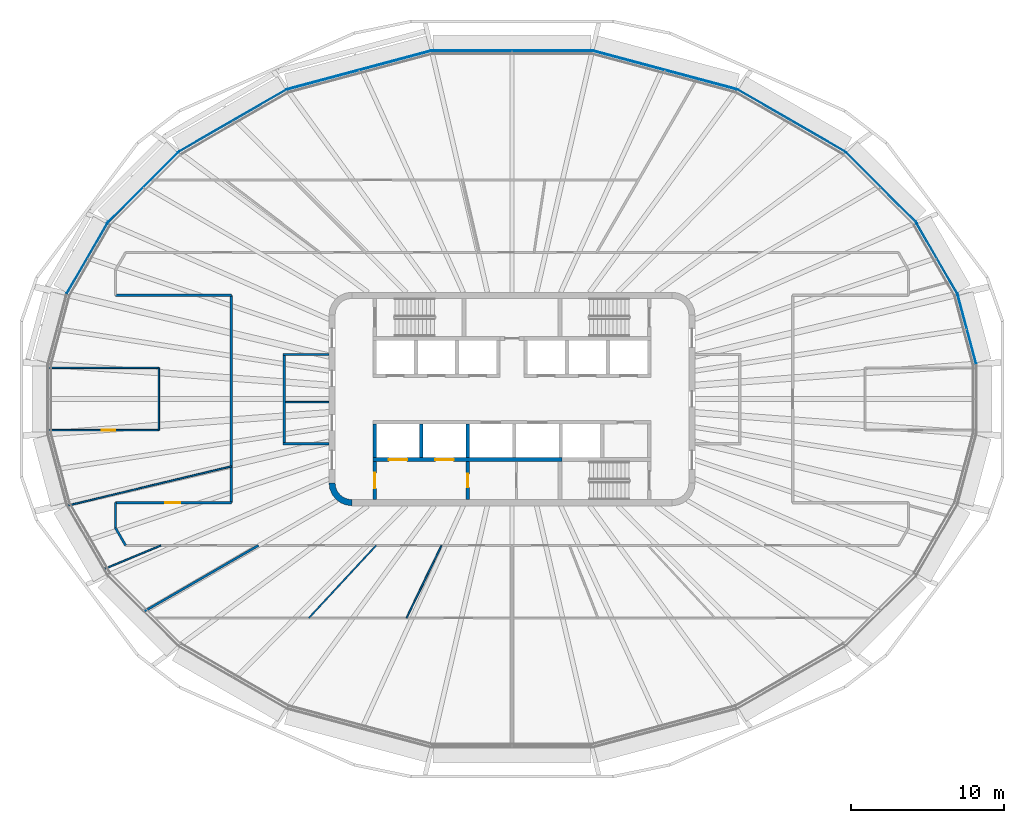
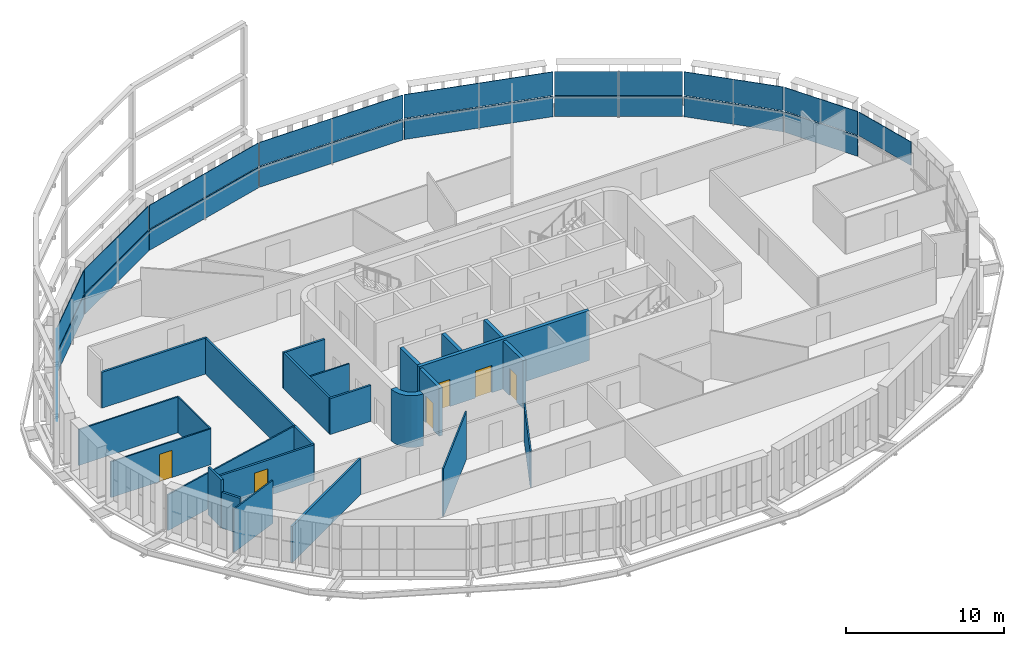
# One storey, part 9 of 20: 24 walls, 19 plates, 6 doors, 6 openings, 10 elements without a shape of their own.
"""IFC4 building model written with IfcOpenShell, lengths in metres."""

from ifc_helpers import new_model, si_unit, direction, frame, frame_2d, origin, place, context, subcontext, project, spatial, polyline, rectangle, outline, extrude, material, layer, layer_set, type_object, element, fill, aggregate, save


model = new_model("IFC4")

# Units and contexts
model_context = context("Model", 3, precision=1e-05, world=origin(), true_north=direction((0.0, 1.0)))
body_context = subcontext(model_context, "Body", "Model", "MODEL_VIEW")
ifc_project = project(units=[si_unit("LENGTHUNIT", "METRE"), si_unit("AREAUNIT", "SQUARE_METRE"), si_unit("VOLUMEUNIT", "CUBIC_METRE"), si_unit("PLANEANGLEUNIT", "RADIAN"), si_unit("MASSUNIT", "GRAM", prefix="KILO")], contexts=[model_context])

# Site, building, storey
site_placement = place(None, origin())
site = spatial("IfcSite", under=ifc_project, at=site_placement, CompositionType="ELEMENT")
building_placement = place(site_placement, origin())
building = spatial("IfcBuilding", under=site, at=building_placement, Name="Sahrelin Media Tower", CompositionType="ELEMENT")
storey_placement = place(building_placement, frame((0.0, 0.0, 237.60009765625)))
storey = spatial("IfcBuildingStorey", under=building, at=storey_placement, Name="L51", CompositionType="ELEMENT", Elevation=237.60009765625)

# Curtain wall, plate
ifc_material_1 = material(Name="Champagne anodised aluminium 6063-T6", Category="aluminium")
ifc_layer_1 = layer(ifc_material_1, 0.14990234375)
ifc_layer_set_1 = layer_set([ifc_layer_1], Name="Tower ribbon curtain wall")
curtain_wall_type = type_object("IfcCurtainWallType", Name="Tower ribbon curtain wall", PredefinedType="NOTDEFINED", material=ifc_layer_set_1)
curtain_wall_1_placement = place(storey_placement, frame((29.834228515625, 4.572265625, 0.0), z_axis=(0.0, 0.0, 1.0), x_axis=(1.0, 0.0, 0.0)))
curtain_wall_1 = element("IfcCurtainWall", 1, at=curtain_wall_1_placement, inside=storey, type_object=curtain_wall_type, Name="L51:CW:L51-01", PredefinedType="NOTDEFINED")
ifc_material_2 = material(Name="Clear low-iron glazing", Category="glass")
ifc_layer_2 = layer(ifc_material_2, 0.0439453125)
ifc_layer_set_2 = layer_set([ifc_layer_2], Name="Glazing panel 44 mm CW1B")
plate_type_1 = type_object("IfcPlateType", Name="Glazing panel 44 mm CW1B", PredefinedType="CURTAIN_PANEL", material=ifc_layer_set_2)
plate_1_placement = place(storey_placement, frame((30.456298828125, 2.327880859375, 1.6298828125), z_axis=(0.965935885882, 0.258781499273, 0.0), x_axis=(-0.258781499273, 0.965935885882, 0.0)))
plate_1 = element("IfcPlate", 2, at=plate_1_placement, type_object=plate_type_1, Name="L51:CWP2:L51-01", PredefinedType="CURTAIN_PANEL", context=body_context, shape_type="SweptSolid", body=[
    extrude(outline(polyline([(0.0, 0.0), (4.65771484375, 0.0), (4.65771484375, 1.818603515625), (0.0, 1.818603515625), (0.0, 0.0)])), origin(), (0.0, 0.0, -1.0), 0.0439453125),
])
aggregate(curtain_wall_1, [plate_1])

curtain_wall_2_placement = place(storey_placement, frame((27.865234375, 9.214111328125, 0.0), z_axis=(0.0, 0.0, 1.0), x_axis=(1.0, 0.0, 0.0)))
curtain_wall_2 = element("IfcCurtainWall", 3, at=curtain_wall_2_placement, inside=storey, type_object=curtain_wall_type, Name="L51:CW:L51-02", PredefinedType="NOTDEFINED")
plate_2_placement = place(storey_placement, frame((29.2109375, 6.923095703125, 1.6298828125), z_axis=(0.866034858292, 0.499983623955, 0.0), x_axis=(-0.499983623955, 0.866034858292, 0.0)))
plate_2 = element("IfcPlate", 4, at=plate_2_placement, type_object=plate_type_1, Name="L51:CWP2:L51-02", PredefinedType="CURTAIN_PANEL", context=body_context, shape_type="SweptSolid", body=[
    extrude(outline(polyline([(0.0, 0.0), (5.313720703125, 0.0), (5.313720703125, 1.818603515625), (0.0, 1.818603515625), (0.0, 0.0)])), origin(), (0.0, 0.0, -1.0), 0.0439453125),
])

curtain_wall_3_placement = place(storey_placement, frame((24.1865234375, 13.88330078125, 0.0), z_axis=(0.0, 0.0, 1.0), x_axis=(1.0, 0.0, 0.0)))
curtain_wall_3 = element("IfcCurtainWall", 5, at=curtain_wall_3_placement, inside=storey, type_object=curtain_wall_type, Name="L51:CW:L51-03", PredefinedType="NOTDEFINED")
plate_3_placement = place(storey_placement, frame((26.49072265625, 11.607666015625, 1.6298828125), z_axis=(0.707087934304, 0.707125627567, 0.0), x_axis=(-0.707125627567, 0.707087934304, 0.0)))
plate_3 = element("IfcPlate", 6, at=plate_3_placement, type_object=plate_type_1, Name="L51:CWP2:L51-03", PredefinedType="CURTAIN_PANEL", context=body_context, shape_type="SweptSolid", body=[
    extrude(outline(polyline([(0.0, 0.0), (6.47705078125, 0.0), (6.47705078125, 1.818603515625), (0.0, 1.818603515625), (0.0, 0.0)])), origin(), (0.0, 0.0, -1.0), 0.0439453125),
])

curtain_wall_4_placement = place(storey_placement, frame((18.3115234375, 18.25830078125, 0.0), z_axis=(0.0, 0.0, 1.0), x_axis=(1.0, 0.0, 0.0)))
curtain_wall_4 = element("IfcCurtainWall", 7, at=curtain_wall_4_placement, inside=storey, type_object=curtain_wall_type, Name="L51:CW:L51-04", PredefinedType="NOTDEFINED")
plate_4_placement = place(storey_placement, frame((21.827880859375, 16.251220703125, 1.6298828125), z_axis=(0.499981703231, 0.866035967171, 0.0), x_axis=(-0.866035967171, 0.499981703231, 0.0)))
plate_4 = element("IfcPlate", 8, at=plate_4_placement, type_object=plate_type_1, Name="L51:CWP2:L51-04", PredefinedType="CURTAIN_PANEL", context=body_context, shape_type="SweptSolid", body=[
    extrude(outline(polyline([(0.0, 0.0), (8.097412109375, 0.0), (8.097412109375, 1.818603515625), (0.0, 1.818603515625), (0.0, 0.0)])), origin(), (0.0, 0.0, -1.0), 0.0439453125),
])

curtain_wall_5_placement = place(storey_placement, frame((10.017578125, 21.578857421875, 0.0), z_axis=(0.0, 0.0, 1.0), x_axis=(1.0, 0.0, 0.0)))
curtain_wall_5 = element("IfcCurtainWall", 9, at=curtain_wall_5_placement, inside=storey, type_object=curtain_wall_type, Name="L51:CW:L51-05", PredefinedType="NOTDEFINED")
plate_5_placement = place(storey_placement, frame((14.718994140625, 20.33984375, 1.6298828125), z_axis=(0.25881891783, 0.965925860392, 0.0), x_axis=(-0.965925860392, 0.25881891783, 0.0)))
plate_5 = element("IfcPlate", 10, at=plate_5_placement, type_object=plate_type_1, Name="L51:CWP2:L51-05", PredefinedType="CURTAIN_PANEL", context=body_context, shape_type="SweptSolid", body=[
    extrude(outline(polyline([(0.0, 0.0), (9.723388671875, 0.0), (9.723388671875, 1.818603515625), (0.0, 1.818603515625), (0.0, 0.0)])), origin(), (0.0, 0.0, -1.0), 0.0439453125),
])

curtain_wall_6_placement = place(storey_placement, frame((0.0, 22.85009765625, 0.0), z_axis=(0.0, 0.0, 1.0), x_axis=(1.0, 0.0, 0.0)))
curtain_wall_6 = element("IfcCurtainWall", 11, at=curtain_wall_6_placement, inside=storey, type_object=curtain_wall_type, Name="L51:CW:L51-06", PredefinedType="NOTDEFINED")
plate_6_placement = place(storey_placement, frame((5.223388671875, 22.8701171875, 1.6298828125), z_axis=(0.0, 1.0, 0.0), x_axis=(-1.0, 0.0, 0.0)))
plate_6 = element("IfcPlate", 12, at=plate_6_placement, type_object=plate_type_1, Name="L51:CWP2:L51-06", PredefinedType="CURTAIN_PANEL", context=body_context, shape_type="SweptSolid", body=[
    extrude(outline(polyline([(0.0, 0.0), (10.44677734375, 0.0), (10.44677734375, 1.818603515625), (0.0, 1.818603515625), (0.0, 0.0)])), origin(), (0.0, 0.0, -1.0), 0.0439453125),
])

curtain_wall_7_placement = place(storey_placement, frame((-10.017578125, 21.57861328125, 0.0), z_axis=(0.0, 0.0, 1.0), x_axis=(1.0, 0.0, 0.0)))
curtain_wall_7 = element("IfcCurtainWall", 13, at=curtain_wall_7_placement, inside=storey, type_object=curtain_wall_type, Name="L51:CW:L51-07", PredefinedType="NOTDEFINED")
plate_7_placement = place(storey_placement, frame((-5.326904296875, 22.8564453125, 1.6298828125), z_axis=(-0.25881891783, 0.965925860392, 0.0), x_axis=(-0.965925860392, -0.25881891783, 0.0)))
plate_7 = element("IfcPlate", 14, at=plate_7_placement, type_object=plate_type_1, Name="L51:CWP2:L51-07", PredefinedType="CURTAIN_PANEL", context=body_context, shape_type="SweptSolid", body=[
    extrude(outline(polyline([(0.0, 0.0), (9.723388671875, 0.0), (9.723388671875, 1.818603515625), (0.0, 1.818603515625), (0.0, 0.0)])), origin(), (0.0, 0.0, -1.0), 0.0439453125),
])

curtain_wall_8_placement = place(storey_placement, frame((-18.3115234375, 18.258056640625, 0.0), z_axis=(0.0, 0.0, 1.0), x_axis=(1.0, 0.0, 0.0)))
curtain_wall_8 = element("IfcCurtainWall", 15, at=curtain_wall_8_placement, inside=storey, type_object=curtain_wall_type, Name="L51:CW:L51-08", PredefinedType="NOTDEFINED")
plate_8_placement = place(storey_placement, frame((-14.815185546875, 20.2998046875, 1.6298828125), z_axis=(-0.499981703231, 0.866035967171, 0.0), x_axis=(-0.866035967171, -0.499981703231, 0.0)))
plate_8 = element("IfcPlate", 16, at=plate_8_placement, type_object=plate_type_1, Name="L51:CWP2:L51-08", PredefinedType="CURTAIN_PANEL", context=body_context, shape_type="SweptSolid", body=[
    extrude(outline(polyline([(0.0, 0.0), (8.097412109375, 0.0), (8.097412109375, 1.818603515625), (0.0, 1.818603515625), (0.0, 0.0)])), origin(), (0.0, 0.0, -1.0), 0.0439453125),
])

curtain_wall_9_placement = place(storey_placement, frame((-24.1865234375, 13.883544921875, 0.0), z_axis=(0.0, 0.0, 1.0), x_axis=(1.0, 0.0, 0.0)))
curtain_wall_9 = element("IfcCurtainWall", 17, at=curtain_wall_9_placement, inside=storey, type_object=curtain_wall_type, Name="L51:CW:L51-09", PredefinedType="NOTDEFINED")
plate_9_placement = place(storey_placement, frame((-21.91064453125, 16.1875, 1.6298828125), z_axis=(-0.707087934304, 0.707125627567, 0.0), x_axis=(-0.707125627567, -0.707087934304, 0.0)))
plate_9 = element("IfcPlate", 18, at=plate_9_placement, type_object=plate_type_1, Name="L51:CWP2:L51-09", PredefinedType="CURTAIN_PANEL", context=body_context, shape_type="SweptSolid", body=[
    extrude(outline(polyline([(0.0, 0.0), (6.47705078125, 0.0), (6.47705078125, 1.818603515625), (0.0, 1.818603515625), (0.0, 0.0)])), origin(), (0.0, 0.0, -1.0), 0.0439453125),
])

curtain_wall_10_placement = place(storey_placement, frame((-27.865234375, 9.214111328125, 0.0), z_axis=(0.0, 0.0, 1.0), x_axis=(1.0, 0.0, 0.0)))
curtain_wall_10 = element("IfcCurtainWall", 19, at=curtain_wall_10_placement, inside=storey, type_object=curtain_wall_type, Name="L51:CW:L51-10", PredefinedType="NOTDEFINED")
plate_10_placement = place(storey_placement, frame((-26.55419921875, 11.52490234375, 1.6298828125), z_axis=(-0.866034858292, 0.499983623955, 0.0), x_axis=(-0.499983623955, -0.866034858292, 0.0)))
plate_10 = element("IfcPlate", 20, at=plate_10_placement, type_object=plate_type_1, Name="L51:CWP2:L51-10", PredefinedType="CURTAIN_PANEL", context=body_context, shape_type="SweptSolid", body=[
    extrude(outline(polyline([(0.0, 0.0), (5.313720703125, 0.0), (5.313720703125, 1.818603515625), (0.0, 1.818603515625), (0.0, 0.0)])), origin(), (0.0, 0.0, -1.0), 0.0439453125),
])

# Plate
ifc_material_3 = material(Name="Insulated spandrel panel")
ifc_layer_3 = layer(ifc_material_3, 0.06005859375)
ifc_layer_set_3 = layer_set([ifc_layer_3], Name="Spandrel panel 60 mm CW1")
plate_type_2 = type_object("IfcPlateType", Name="Spandrel panel 60 mm CW1", PredefinedType="SHEET", material=ifc_layer_set_3)
plate_11_placement = place(storey_placement, frame((29.2109375, 6.923095703125, 0.0), z_axis=(0.866034858292, 0.499983623955, 0.0), x_axis=(-0.499983623955, 0.866034858292, 0.0)))
plate_11 = element("IfcPlate", 21, at=plate_11_placement, type_object=plate_type_2, Name="L51:CWP1:L51-02", PredefinedType="SHEET", context=body_context, shape_type="SweptSolid", body=[
    extrude(outline(polyline([(0.0, 0.0), (5.313720703125, 0.0), (5.313720703125, 1.56982421875), (0.0, 1.56982421875), (0.0, 0.0)])), origin(), (0.0, 0.0, -1.0), 0.06005859375),
])

aggregate(curtain_wall_2, [plate_11, plate_2])

plate_12_placement = place(storey_placement, frame((26.49072265625, 11.607666015625, 0.0), z_axis=(0.707087934304, 0.707125627567, 0.0), x_axis=(-0.707125627567, 0.707087934304, 0.0)))
plate_12 = element("IfcPlate", 22, at=plate_12_placement, type_object=plate_type_2, Name="L51:CWP1:L51-03", PredefinedType="SHEET", context=body_context, shape_type="SweptSolid", body=[
    extrude(outline(polyline([(0.0, 0.0), (6.47705078125, 0.0), (6.47705078125, 1.56982421875), (0.0, 1.56982421875), (0.0, 0.0)])), origin(), (0.0, 0.0, -1.0), 0.06005859375),
])

aggregate(curtain_wall_3, [plate_12, plate_3])

plate_13_placement = place(storey_placement, frame((21.827880859375, 16.251220703125, 0.0), z_axis=(0.499981703231, 0.866035967171, 0.0), x_axis=(-0.866035967171, 0.499981703231, 0.0)))
plate_13 = element("IfcPlate", 23, at=plate_13_placement, type_object=plate_type_2, Name="L51:CWP1:L51-04", PredefinedType="SHEET", context=body_context, shape_type="SweptSolid", body=[
    extrude(outline(polyline([(0.0, 0.0), (8.097412109375, 0.0), (8.097412109375, 1.56982421875), (0.0, 1.56982421875), (0.0, 0.0)])), origin(), (0.0, 0.0, -1.0), 0.06005859375),
])

aggregate(curtain_wall_4, [plate_13, plate_4])

plate_14_placement = place(storey_placement, frame((14.718994140625, 20.33984375, 0.0), z_axis=(0.25881891783, 0.965925860392, 0.0), x_axis=(-0.965925860392, 0.25881891783, 0.0)))
plate_14 = element("IfcPlate", 24, at=plate_14_placement, type_object=plate_type_2, Name="L51:CWP1:L51-05", PredefinedType="SHEET", context=body_context, shape_type="SweptSolid", body=[
    extrude(outline(polyline([(0.0, 0.0), (9.723388671875, 0.0), (9.723388671875, 1.56982421875), (0.0, 1.56982421875), (0.0, 0.0)])), origin(), (0.0, 0.0, -1.0), 0.06005859375),
])

aggregate(curtain_wall_5, [plate_14, plate_5])

plate_15_placement = place(storey_placement, frame((5.223388671875, 22.8701171875, 0.0), z_axis=(0.0, 1.0, 0.0), x_axis=(-1.0, 0.0, 0.0)))
plate_15 = element("IfcPlate", 25, at=plate_15_placement, type_object=plate_type_2, Name="L51:CWP1:L51-06", PredefinedType="SHEET", context=body_context, shape_type="SweptSolid", body=[
    extrude(outline(polyline([(0.0, 0.0), (10.44677734375, 0.0), (10.44677734375, 1.56982421875), (0.0, 1.56982421875), (0.0, 0.0)])), origin(), (0.0, 0.0, -1.0), 0.06005859375),
])

aggregate(curtain_wall_6, [plate_15, plate_6])

plate_16_placement = place(storey_placement, frame((-5.326904296875, 22.8564453125, 0.0), z_axis=(-0.25881891783, 0.965925860392, 0.0), x_axis=(-0.965925860392, -0.25881891783, 0.0)))
plate_16 = element("IfcPlate", 26, at=plate_16_placement, type_object=plate_type_2, Name="L51:CWP1:L51-07", PredefinedType="SHEET", context=body_context, shape_type="SweptSolid", body=[
    extrude(outline(polyline([(0.0, 0.0), (9.723388671875, 0.0), (9.723388671875, 1.56982421875), (0.0, 1.56982421875), (0.0, 0.0)])), origin(), (0.0, 0.0, -1.0), 0.06005859375),
])

aggregate(curtain_wall_7, [plate_16, plate_7])

plate_17_placement = place(storey_placement, frame((-14.815185546875, 20.2998046875, 0.0), z_axis=(-0.499981703231, 0.866035967171, 0.0), x_axis=(-0.866035967171, -0.499981703231, 0.0)))
plate_17 = element("IfcPlate", 27, at=plate_17_placement, type_object=plate_type_2, Name="L51:CWP1:L51-08", PredefinedType="SHEET", context=body_context, shape_type="SweptSolid", body=[
    extrude(outline(polyline([(0.0, 0.0), (8.097412109375, 0.0), (8.097412109375, 1.56982421875), (0.0, 1.56982421875), (0.0, 0.0)])), origin(), (0.0, 0.0, -1.0), 0.06005859375),
])

aggregate(curtain_wall_8, [plate_17, plate_8])

plate_18_placement = place(storey_placement, frame((-21.91064453125, 16.1875, 0.0), z_axis=(-0.707087934304, 0.707125627567, 0.0), x_axis=(-0.707125627567, -0.707087934304, 0.0)))
plate_18 = element("IfcPlate", 28, at=plate_18_placement, type_object=plate_type_2, Name="L51:CWP1:L51-09", PredefinedType="SHEET", context=body_context, shape_type="SweptSolid", body=[
    extrude(outline(polyline([(0.0, 0.0), (6.47705078125, 0.0), (6.47705078125, 1.56982421875), (0.0, 1.56982421875), (0.0, 0.0)])), origin(), (0.0, 0.0, -1.0), 0.06005859375),
])

aggregate(curtain_wall_9, [plate_18, plate_9])

plate_19_placement = place(storey_placement, frame((-26.55419921875, 11.52490234375, 0.0), z_axis=(-0.866034858292, 0.499983623955, 0.0), x_axis=(-0.499983623955, -0.866034858292, 0.0)))
plate_19 = element("IfcPlate", 29, at=plate_19_placement, type_object=plate_type_2, Name="L51:CWP1:L51-10", PredefinedType="SHEET", context=body_context, shape_type="SweptSolid", body=[
    extrude(outline(polyline([(0.0, 0.0), (5.313720703125, 0.0), (5.313720703125, 1.56982421875), (0.0, 1.56982421875), (0.0, 0.0)])), origin(), (0.0, 0.0, -1.0), 0.06005859375),
])

aggregate(curtain_wall_10, [plate_19, plate_10])

# Walls
ifc_material_4 = material(Name="Concrete C60/75", Category="concrete")
ifc_layer_4 = layer(ifc_material_4, 0.39990234375)
ifc_layer_set_4 = layer_set([ifc_layer_4], Name="Core wall 400")
wall_type_1 = type_object("IfcWallType", Name="Core wall 400", PredefinedType="SHEAR", material=ifc_layer_set_4)
wall_1_placement = place(storey_placement, origin())
element("IfcWall", 30, at=wall_1_placement, inside=storey, type_object=wall_type_1, Name="Core wall corner SW L51", PredefinedType="SHEAR", context=body_context, shape_type="SweptSolid", body=[
    extrude(outline(polyline([(-10.5, -7.0), (-10.5, -6.596435546875), (-10.78369140625, -6.55908203125), (-11.04833984375, -6.44970703125), (-11.275390625, -6.275390625), (-11.44970703125, -6.04833984375), (-11.55908203125, -5.78369140625), (-11.596435546875, -5.5), (-12.0, -5.5), (-11.948974609375, -5.88818359375), (-11.799072265625, -6.25), (-11.560791015625, -6.560791015625), (-11.25, -6.799072265625), (-10.88818359375, -6.948974609375), (-10.5, -7.0)])), origin(), (0.0, 0.0, 1.0), 4.0),
])
ifc_material_5 = material(Name="Fire-rated gypsum board partition")
ifc_layer_5 = layer(ifc_material_5, 0.10009765625)
ifc_layer_set_5 = layer_set([ifc_layer_5], Name="Fire-rated partition 100")
wall_type_2 = type_object("IfcWallType", Name="Fire-rated partition 100", PredefinedType="PARTITIONING", material=ifc_layer_set_5)
wall_2_placement = place(storey_placement, frame((-14.85009765625, -0.199951171875, 0.0), z_axis=(0.0, 0.0, 1.0), x_axis=(1.0, 0.0, 0.0)))
element("IfcWall", 31, at=wall_2_placement, inside=storey, type_object=wall_type_2, Name="Core room partition", PredefinedType="PARTITIONING", context=body_context, shape_type="SweptSolid", body=[
    extrude(rectangle(XDim=2.85009765625, YDim=0.10009765625, at=frame_2d((1.425048828125, 0.0))), origin(), (0.0, 0.0, 1.0), 2.76806640625),
])
ifc_layer_6 = layer(ifc_material_5, 0.14990234375)
ifc_layer_set_6 = layer_set([ifc_layer_6], Name="Fire-rated partition 150")
wall_type_3 = type_object("IfcWallType", Name="Fire-rated partition 150", PredefinedType="PARTITIONING", material=ifc_layer_set_6)
wall_3_placement = place(storey_placement, frame((-14.925048828125, -2.85009765625, 0.0), z_axis=(0.0, 0.0, 1.0), x_axis=(0.0, 1.0, 0.0)))
element("IfcWall", 32, at=wall_3_placement, inside=storey, type_object=wall_type_3, Name="Core room fire partition", PredefinedType="PARTITIONING", context=body_context, shape_type="SweptSolid", body=[
    extrude(rectangle(XDim=5.7001953125, YDim=0.14990234375, at=frame_2d((2.85009765625, 0.0))), origin(), (0.0, 0.0, 1.0), 2.76806640625),
])
for number, where, z_axis, x_axis, name in (
    (33, (-15.0, 2.925048828125, 0.0), (0.0, 0.0, 1.0), (1.0, 0.0, 0.0), "Core room fire partition"),
    (34, (-15.0, -2.925048828125, 0.0), (0.0, 0.0, 1.0), (1.0, 0.0, 0.0), "Core room fire partition"),
):
    element("IfcWall", number, at=place(storey_placement, frame(where, z_axis=z_axis, x_axis=x_axis)), inside=storey, type_object=wall_type_3, Name=name, PredefinedType="PARTITIONING", context=body_context, shape_type="SweptSolid", body=[
        extrude(rectangle(XDim=3.0, YDim=0.14990234375, at=frame_2d((1.5, 0.0))), origin(), (0.0, 0.0, 1.0), 2.76806640625),
    ])
wall_4_placement = place(storey_placement, frame((-26.0, -8.445068359375, 0.0), z_axis=(0.0, 0.0, 1.0), x_axis=(0.500076310463, -0.865981341435, 0.0)))
element("IfcWall", 35, at=wall_4_placement, inside=storey, type_object=wall_type_3, Name="Wall", PredefinedType="PARTITIONING", context=body_context, shape_type="SweptSolid", body=[
    extrude(rectangle(XDim=1.333740234375, YDim=0.14990234375, at=frame_2d((0.6669921875, 0.0))), origin(), (0.0, 0.0, 1.0), 2.76806640625),
])

# Wall, opening, door
wall_5_placement = place(storey_placement, frame((-26.0, -6.800048828125, 0.0), z_axis=(0.0, 0.0, 1.0), x_axis=(1.0, 0.0, 0.0)))
wall_5 = element("IfcWall", 36, at=wall_5_placement, inside=storey, type_object=wall_type_3, Name="Wall", PredefinedType="PARTITIONING", context=body_context, shape_type="SweptSolid", body=[
    extrude(rectangle(XDim=7.60009765625, YDim=0.14990234375, at=frame_2d((3.800048828125, 0.0))), origin(), (0.0, 0.0, 1.0), 2.76806640625),
])
opening_1_placement = place(wall_5_placement, frame((3.2490234375, 0.0, 0.0)))
opening_1 = element("IfcOpeningElement", 37, at=opening_1_placement, cuts=wall_5, Name="Opening L51-D25", PredefinedType="OPENING", context=body_context, shape_type="SweptSolid", body=[
    extrude(rectangle(XDim=1.0, YDim=2.10009765625, at=frame_2d((0.5, 1.050048828125))), frame((0.0, 0.074951171875, 0.0), z_axis=(0.0, -1.0, 0.0), x_axis=(1.0, 0.0, 0.0)), (0.0, 0.0, 1.0), 0.14990234375),
])
ifc_material_6 = material(Name="Steel fire door leaf", Category="steel")
door_type_1 = type_object("IfcDoorType", Name="Fire door 1000 x 2100 EI 60", OperationType="NOTDEFINED", PredefinedType="DOOR", material=ifc_material_6)
door_1_placement = place(opening_1_placement, origin())
door_1 = element("IfcDoor", 38, at=door_1_placement, inside=storey, type_object=door_type_1, Name="Fire door", OperationType="SINGLE_SWING_LEFT", OverallHeight=2.10009765625, OverallWidth=1.0, PredefinedType="DOOR", context=body_context, shape_type="SweptSolid", body=[
    extrude(rectangle(XDim=1.0, YDim=2.10009765625, at=frame_2d((0.5, 1.050048828125))), frame((0.0, 0.02490234375, 0.0), z_axis=(0.0, -1.0, 0.0), x_axis=(1.0, 0.0, 0.0)), (0.0, 0.0, 1.0), 0.050048828125),
])
fill(opening_1, door_1)

# Walls
wall_6_placement = place(storey_placement, frame((-26.0, 6.800048828125, 0.0), z_axis=(0.0, 0.0, 1.0), x_axis=(1.0, 0.0, 0.0)))
element("IfcWall", 39, at=wall_6_placement, inside=storey, type_object=wall_type_3, Name="Wall", PredefinedType="PARTITIONING", context=body_context, shape_type="SweptSolid", body=[
    extrude(rectangle(XDim=7.60009765625, YDim=0.14990234375, at=frame_2d((3.800048828125, 0.0))), origin(), (0.0, 0.0, 1.0), 2.76806640625),
])
wall_7_placement = place(storey_placement, frame((-24.135009765625, -13.93505859375, 0.0), z_axis=(0.0, 0.0, 1.0), x_axis=(0.866016292776, 0.500015780397, 0.0)))
element("IfcWall", 40, at=wall_7_placement, inside=storey, type_object=wall_type_3, Name="Wall", PredefinedType="PARTITIONING", context=body_context, shape_type="SweptSolid", body=[
    extrude(rectangle(XDim=8.669677734375, YDim=0.14990234375, at=frame_2d((4.3349609375, 0.0))), origin(), (0.0, 0.0, 1.0), 2.77685546875),
])
wall_8_placement = place(storey_placement, frame((-18.39990234375, -6.800048828125, 0.0), z_axis=(0.0, 0.0, 1.0), x_axis=(0.0, 1.0, 0.0)))
element("IfcWall", 41, at=wall_8_placement, inside=storey, type_object=wall_type_3, Name="Wall", PredefinedType="PARTITIONING", context=body_context, shape_type="SweptSolid", body=[
    extrude(rectangle(XDim=13.60009765625, YDim=0.14990234375, at=frame_2d((6.800048828125, 0.0))), origin(), (0.0, 0.0, 1.0), 2.76806640625),
])
wall_9_placement = place(storey_placement, frame((-26.0, -8.445068359375, 0.0), z_axis=(0.0, 0.0, 1.0), x_axis=(0.0, 1.0, 0.0)))
element("IfcWall", 42, at=wall_9_placement, inside=storey, type_object=wall_type_3, Name="Wall", PredefinedType="PARTITIONING", context=body_context, shape_type="SweptSolid", body=[
    extrude(rectangle(XDim=1.64501953125, YDim=0.14990234375, at=frame_2d((0.822509765625, 0.0))), origin(), (0.0, 0.0, 1.0), 3.699951171875),
])

# Wall, opening, door
ifc_layer_7 = layer(ifc_material_5, 0.25)
ifc_layer_set_7 = layer_set([ifc_layer_7], Name="Firefighting lobby wall 250")
wall_type_4 = type_object("IfcWallType", Name="Firefighting lobby wall 250", PredefinedType="PARTITIONING", material=ifc_layer_set_7)
wall_10_placement = place(storey_placement, frame((-9.0, -6.60009765625, 0.0), z_axis=(0.0, 0.0, 1.0), x_axis=(0.0, 1.0, 0.0)))
wall_10 = element("IfcWall", 43, at=wall_10_placement, inside=storey, type_object=wall_type_4, Name="Core wall", PredefinedType="PARTITIONING", context=body_context, shape_type="SweptSolid", body=[
    extrude(rectangle(XDim=2.5, YDim=0.25, at=frame_2d((1.25, 0.0))), origin(), (0.0, 0.0, 1.0), 3.699951171875),
])
opening_2_placement = place(wall_10_placement, frame((0.75, 0.0, 0.0)))
opening_2 = element("IfcOpeningElement", 44, at=opening_2_placement, cuts=wall_10, Name="Opening L51-D04", PredefinedType="OPENING", context=body_context, shape_type="SweptSolid", body=[
    extrude(rectangle(XDim=1.0, YDim=2.10009765625, at=frame_2d((0.5, 1.050048828125))), frame((0.0, 0.125, 0.0), z_axis=(0.0, -1.0, 0.0), x_axis=(1.0, 0.0, 0.0)), (0.0, 0.0, 1.0), 0.25),
])
door_type_2 = type_object("IfcDoorType", Name="Firefighting lobby door 1000 x 2100 EI 120", OperationType="NOTDEFINED", PredefinedType="DOOR", material=ifc_material_6)
door_2_placement = place(opening_2_placement, origin())
door_2 = element("IfcDoor", 45, at=door_2_placement, inside=storey, type_object=door_type_2, Name="Firefighting lobby door", OperationType="SINGLE_SWING_LEFT", OverallHeight=2.10009765625, OverallWidth=1.0, PredefinedType="DOOR", context=body_context, shape_type="SweptSolid", body=[
    extrude(rectangle(XDim=1.0, YDim=2.10009765625, at=frame_2d((0.5, 1.050048828125))), frame((0.0, 0.02490234375, 0.0), z_axis=(0.0, -1.0, 0.0), x_axis=(1.0, 0.0, 0.0)), (0.0, 0.0, 1.0), 0.050048828125),
])
fill(opening_2, door_2)

wall_11_placement = place(storey_placement, frame((-2.89990234375, -6.60009765625, 0.0), z_axis=(0.0, 0.0, 1.0), x_axis=(0.0, 1.0, 0.0)))
wall_11 = element("IfcWall", 46, at=wall_11_placement, inside=storey, type_object=wall_type_4, Name="Core wall", PredefinedType="PARTITIONING", context=body_context, shape_type="SweptSolid", body=[
    extrude(rectangle(XDim=2.5, YDim=0.25, at=frame_2d((1.25, 0.0))), origin(), (0.0, 0.0, 1.0), 3.699951171875),
])
opening_3_placement = place(wall_11_placement, frame((0.800048828125, 0.0, 0.0)))
opening_3 = element("IfcOpeningElement", 47, at=opening_3_placement, cuts=wall_11, Name="Opening L51-D05", PredefinedType="OPENING", context=body_context, shape_type="SweptSolid", body=[
    extrude(rectangle(XDim=0.89990234375, YDim=2.10009765625, at=frame_2d((0.449951171875, 1.050048828125))), frame((0.0, 0.125, 0.0), z_axis=(0.0, -1.0, 0.0), x_axis=(1.0, 0.0, 0.0)), (0.0, 0.0, 1.0), 0.25),
])
door_type_3 = type_object("IfcDoorType", Name="Firefighting lobby door 900 x 2100 EI 120", OperationType="NOTDEFINED", PredefinedType="DOOR", material=ifc_material_6)
door_3_placement = place(opening_3_placement, origin())
door_3 = element("IfcDoor", 48, at=door_3_placement, inside=storey, type_object=door_type_3, Name="Riser door", OperationType="SINGLE_SWING_RIGHT", OverallHeight=2.10009765625, OverallWidth=0.89990234375, PredefinedType="DOOR", context=body_context, shape_type="SweptSolid", body=[
    extrude(rectangle(XDim=0.89990234375, YDim=2.10009765625, at=frame_2d((0.449951171875, 1.050048828125))), frame((0.0, 0.02490234375, 0.0), z_axis=(0.0, -1.0, 0.0), x_axis=(1.0, 0.0, 0.0)), (0.0, 0.0, 1.0), 0.050048828125),
])
fill(opening_3, door_3)

# Wall, openings, doors
ifc_layer_8 = layer(ifc_material_4, 0.25)
ifc_layer_set_8 = layer_set([ifc_layer_8], Name="Lift shaft wall 250")
wall_type_5 = type_object("IfcWallType", Name="Lift shaft wall 250", PredefinedType="SOLIDWALL", material=ifc_layer_set_8)
wall_12_placement = place(storey_placement, frame((-9.125, -3.97509765625, 0.0), z_axis=(0.0, 0.0, 1.0), x_axis=(1.0, 0.0, 0.0)))
wall_12 = element("IfcWall", 49, at=wall_12_placement, inside=storey, type_object=wall_type_5, Name="Lift shaft wall", PredefinedType="SOLIDWALL", context=body_context, shape_type="SweptSolid", body=[
    extrude(rectangle(XDim=12.39990234375, YDim=0.25, at=frame_2d((6.199951171875, 0.0))), origin(), (0.0, 0.0, 1.0), 3.849853515625),
])
opening_4_placement = place(wall_12_placement, frame((1.050048828125, 0.0, 0.0)))
opening_4 = element("IfcOpeningElement", 50, at=opening_4_placement, cuts=wall_12, Name="Opening L51-LD-FF1", PredefinedType="OPENING", context=body_context, shape_type="SweptSolid", body=[
    extrude(rectangle(XDim=1.199951171875, YDim=2.10009765625, at=frame_2d((0.60009765625, 1.050048828125))), frame((0.0, 0.125, 0.0), z_axis=(0.0, -1.0, 0.0), x_axis=(1.0, 0.0, 0.0)), (0.0, 0.0, 1.0), 0.25),
])
opening_5_placement = place(wall_12_placement, frame((4.10009765625, 0.0, 0.0)))
opening_5 = element("IfcOpeningElement", 51, at=opening_5_placement, cuts=wall_12, Name="Opening L51-LD-FF2", PredefinedType="OPENING", context=body_context, shape_type="SweptSolid", body=[
    extrude(rectangle(XDim=1.199951171875, YDim=2.10009765625, at=frame_2d((0.60009765625, 1.050048828125))), frame((0.0, 0.125, 0.0), z_axis=(0.0, -1.0, 0.0), x_axis=(1.0, 0.0, 0.0)), (0.0, 0.0, 1.0), 0.25),
])
ifc_material_7 = material(Name="Stainless steel", Category="steel")
door_type_4 = type_object("IfcDoorType", Name="Lift landing door 1200 x 2100 EI 120", OperationType="DOUBLE_DOOR_SLIDING", PredefinedType="DOOR", material=ifc_material_7)
door_4_placement = place(opening_4_placement, origin())
door_4 = element("IfcDoor", 52, at=door_4_placement, inside=storey, type_object=door_type_4, Name="Lift landing door FF1", OperationType="DOUBLE_DOOR_SLIDING", OverallHeight=2.10009765625, OverallWidth=1.199951171875, PredefinedType="DOOR", context=body_context, shape_type="SweptSolid", body=[
    extrude(rectangle(XDim=1.199951171875, YDim=2.10009765625, at=frame_2d((0.60009765625, 1.050048828125))), frame((0.0, 0.02490234375, 0.0), z_axis=(0.0, -1.0, 0.0), x_axis=(1.0, 0.0, 0.0)), (0.0, 0.0, 1.0), 0.050048828125),
])
fill(opening_4, door_4)
door_5_placement = place(opening_5_placement, origin())
door_5 = element("IfcDoor", 53, at=door_5_placement, inside=storey, type_object=door_type_4, Name="Lift landing door FF2", OperationType="DOUBLE_DOOR_SLIDING", OverallHeight=2.10009765625, OverallWidth=1.199951171875, PredefinedType="DOOR", context=body_context, shape_type="SweptSolid", body=[
    extrude(rectangle(XDim=1.199951171875, YDim=2.10009765625, at=frame_2d((0.60009765625, 1.050048828125))), frame((0.0, 0.02490234375, 0.0), z_axis=(0.0, -1.0, 0.0), x_axis=(1.0, 0.0, 0.0)), (0.0, 0.0, 1.0), 0.050048828125),
])
fill(opening_5, door_5)

# Walls
for number, where, z_axis, x_axis, name in (
    (54, (-9.0, -3.85009765625, 0.0), (0.0, 0.0, 1.0), (0.0, 1.0, 0.0), "Lift shaft wall"),
    (55, (-5.949951171875, -3.85009765625, 0.0), (0.0, 0.0, 1.0), (0.0, 1.0, 0.0), "Lift shaft wall"),
    (56, (-2.89990234375, -3.85009765625, 0.0), (0.0, 0.0, 1.0), (0.0, 1.0, 0.0), "Lift shaft wall"),
):
    element("IfcWall", number, at=place(storey_placement, frame(where, z_axis=z_axis, x_axis=x_axis)), inside=storey, type_object=wall_type_5, Name=name, PredefinedType="SOLIDWALL", context=body_context, shape_type="SweptSolid", body=[
        extrude(rectangle(XDim=2.2001953125, YDim=0.25, at=frame_2d((1.10009765625, 0.0))), origin(), (0.0, 0.0, 1.0), 3.849853515625),
    ])

# Wall, opening, door
ifc_material_8 = material(Name="Gypsum board partition")
ifc_layer_9 = layer(ifc_material_8, 0.10009765625)
ifc_layer_set_9 = layer_set([ifc_layer_9], Name="Partition 100")
wall_type_6 = type_object("IfcWallType", Name="Partition 100", PredefinedType="PARTITIONING", material=ifc_layer_set_9)
wall_13_placement = place(storey_placement, frame((-30.449951171875, -2.0400390625, 0.0), z_axis=(0.0, 0.0, 1.0), x_axis=(1.0, 0.0, 0.0)))
wall_13 = element("IfcWall", 57, at=wall_13_placement, inside=storey, type_object=wall_type_6, Name="Wall", PredefinedType="PARTITIONING", context=body_context, shape_type="SweptSolid", body=[
    extrude(rectangle(XDim=7.2900390625, YDim=0.10009765625, at=frame_2d((3.64501953125, 0.0))), origin(), (0.0, 0.0, 1.0), 2.76806640625),
])
opening_6_placement = place(wall_13_placement, frame((3.55126953125, 0.0, 0.0)))
opening_6 = element("IfcOpeningElement", 58, at=opening_6_placement, cuts=wall_13, Name="Opening L51-D27", PredefinedType="OPENING", context=body_context, shape_type="SweptSolid", body=[
    extrude(rectangle(XDim=0.89990234375, YDim=2.10009765625, at=frame_2d((0.449951171875, 1.050048828125))), frame((0.0, 0.050048828125, 0.0), z_axis=(0.0, -1.0, 0.0), x_axis=(1.0, 0.0, 0.0)), (0.0, 0.0, 1.0), 0.10009765625),
])
ifc_material_9 = material(Name="Timber door leaf", Category="wood")
door_type_5 = type_object("IfcDoorType", Name="Single door 900 x 2100", OperationType="NOTDEFINED", PredefinedType="DOOR", material=ifc_material_9)
door_6_placement = place(opening_6_placement, origin())
door_6 = element("IfcDoor", 59, at=door_6_placement, inside=storey, type_object=door_type_5, Name="Single door", OperationType="SINGLE_SWING_LEFT", OverallHeight=2.10009765625, OverallWidth=0.89990234375, PredefinedType="DOOR", context=body_context, shape_type="SweptSolid", body=[
    extrude(rectangle(XDim=0.89990234375, YDim=2.10009765625, at=frame_2d((0.449951171875, 1.050048828125))), frame((0.0, 0.02490234375, 0.0), z_axis=(0.0, -1.0, 0.0), x_axis=(1.0, 0.0, 0.0)), (0.0, 0.0, 1.0), 0.050048828125),
])
fill(opening_6, door_6)

# Walls
wall_14_placement = place(storey_placement, frame((-30.449951171875, 2.0400390625, 0.0), z_axis=(0.0, 0.0, 1.0), x_axis=(1.0, 0.0, 0.0)))
element("IfcWall", 60, at=wall_14_placement, inside=storey, type_object=wall_type_6, Name="Wall", PredefinedType="PARTITIONING", context=body_context, shape_type="SweptSolid", body=[
    extrude(rectangle(XDim=7.2900390625, YDim=0.10009765625, at=frame_2d((3.64501953125, 0.0))), origin(), (0.0, 0.0, 1.0), 2.76806640625),
])
wall_15_placement = place(storey_placement, frame((-29.14892578125, -6.990966796875, 0.0), z_axis=(0.0, 0.0, 1.0), x_axis=(0.97242598182, 0.233211727583, 0.0)))
element("IfcWall", 61, at=wall_15_placement, inside=storey, type_object=wall_type_6, Name="Wall", PredefinedType="PARTITIONING", context=body_context, shape_type="SweptSolid", body=[
    extrude(rectangle(XDim=11.0537109375, YDim=0.10009765625, at=frame_2d((5.52685546875, 0.0))), origin(), (0.0, 0.0, 1.0), 2.76806640625),
])
wall_16_placement = place(storey_placement, frame((-26.7470703125, -11.152099609375, 0.0), z_axis=(0.0, 0.0, 1.0), x_axis=(0.922980174508, 0.384847498973, 0.0)))
element("IfcWall", 62, at=wall_16_placement, inside=storey, type_object=wall_type_6, Name="Wall", PredefinedType="PARTITIONING", context=body_context, shape_type="SweptSolid", body=[
    extrude(rectangle(XDim=4.03271484375, YDim=0.10009765625, at=frame_2d((2.016357421875, 0.0))), origin(), (0.0, 0.0, 1.0), 3.324951171875),
])
wall_17_placement = place(storey_placement, frame((-13.323974609375, -14.360107421875, 0.0), z_axis=(0.0, 0.0, 1.0), x_axis=(0.680201581888, 0.733025107344, 0.0)))
element("IfcWall", 63, at=wall_17_placement, inside=storey, type_object=wall_type_6, Name="Wall", PredefinedType="PARTITIONING", context=body_context, shape_type="SweptSolid", body=[
    extrude(rectangle(XDim=6.49365234375, YDim=0.10009765625, at=frame_2d((3.246826171875, 0.0))), origin(), (0.0, 0.0, 1.0), 3.699951171875),
])
wall_18_placement = place(storey_placement, frame((-6.9150390625, -14.360107421875, 0.0), z_axis=(0.0, 0.0, 1.0), x_axis=(0.433836460285, 0.90099163466, 0.0)))
element("IfcWall", 64, at=wall_18_placement, inside=storey, type_object=wall_type_6, Name="Wall", PredefinedType="PARTITIONING", context=body_context, shape_type="SweptSolid", body=[
    extrude(rectangle(XDim=5.282958984375, YDim=0.10009765625, at=frame_2d((2.6416015625, 0.0))), origin(), (0.0, 0.0, 1.0), 2.76806640625),
])
wall_19_placement = place(storey_placement, frame((-23.159912109375, -2.0400390625, 0.0), z_axis=(0.0, 0.0, 1.0), x_axis=(0.0, 1.0, 0.0)))
element("IfcWall", 65, at=wall_19_placement, inside=storey, type_object=wall_type_6, Name="Wall", PredefinedType="PARTITIONING", context=body_context, shape_type="SweptSolid", body=[
    extrude(rectangle(XDim=4.080078125, YDim=0.10009765625, at=frame_2d((2.0400390625, 0.0))), origin(), (0.0, 0.0, 1.0), 2.76806640625),
])

save(model, "model.ifc")
